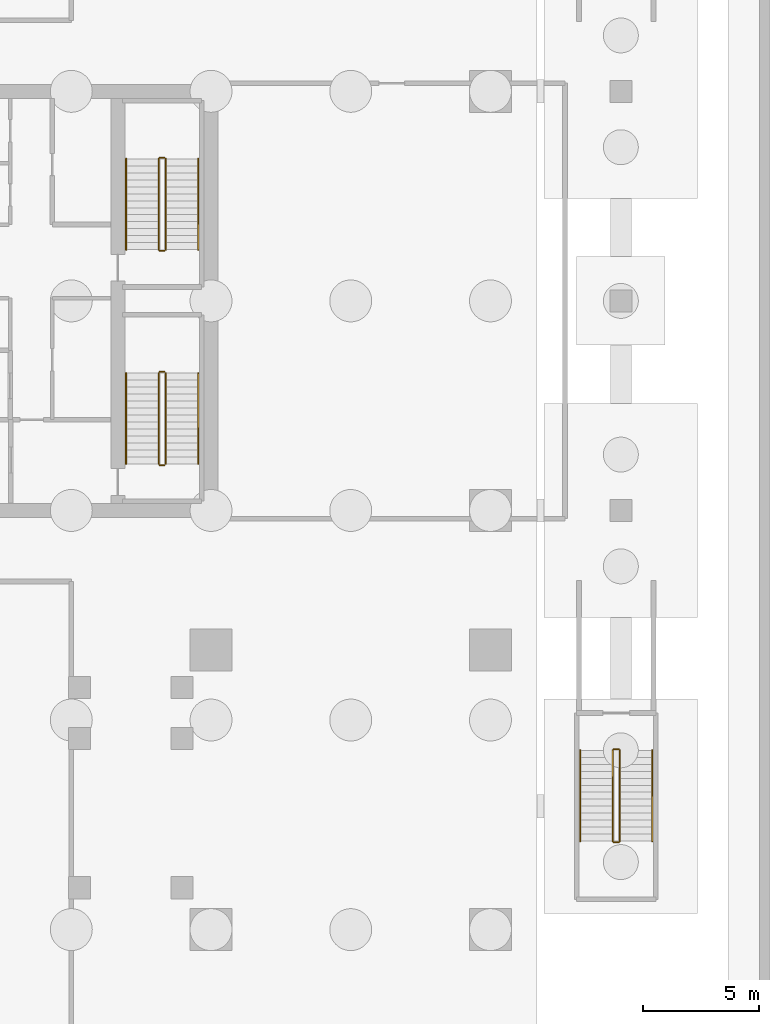
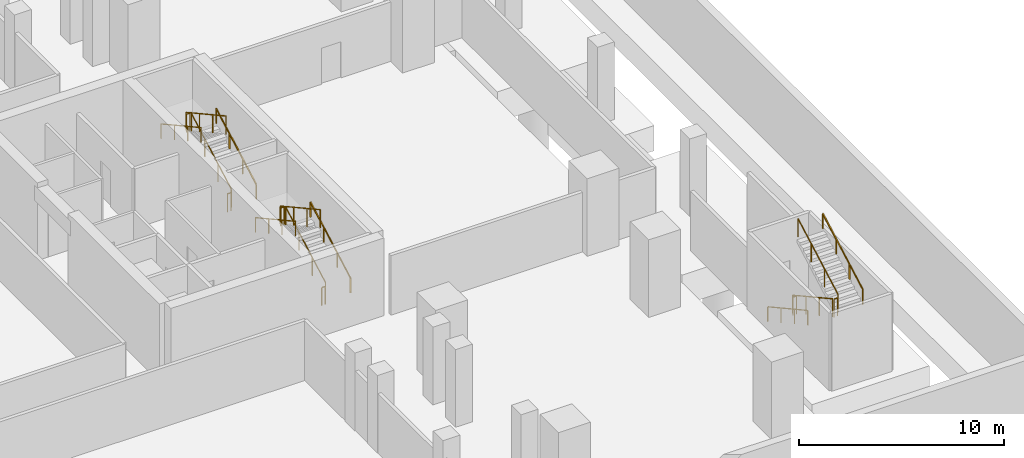
# One storey, part 12 of 14: 18 railings.
"""IFC4 building model written with IfcOpenShell, lengths in metres."""

from ifc_helpers import new_model, si_unit, direction, frame, origin, place, context, subcontext, project, spatial, rectangle, extrude, material, type_object, element, save


model = new_model("IFC4")

# Units and contexts
model_context = context("Model", 3, precision=1e-05, world=origin(), true_north=direction((0.0, 1.0)))
body_context = subcontext(model_context, "Body", "Model", "MODEL_VIEW")
ifc_project = project(units=[si_unit("LENGTHUNIT", "METRE"), si_unit("AREAUNIT", "SQUARE_METRE"), si_unit("VOLUMEUNIT", "CUBIC_METRE"), si_unit("PLANEANGLEUNIT", "RADIAN"), si_unit("MASSUNIT", "GRAM", prefix="KILO")], contexts=[model_context])

# Site, building, storey
site_placement = place(None, origin())
site = spatial("IfcSite", under=ifc_project, at=site_placement, CompositionType="ELEMENT")
building_placement = place(site_placement, origin())
building = spatial("IfcBuilding", under=site, at=building_placement, Name="Tanjung Sevakor Pilgrim Tower", CompositionType="ELEMENT")
storey_placement = place(building_placement, frame((0.0, 0.0, -9.239990234375)))
storey = spatial("IfcBuildingStorey", under=building, at=storey_placement, Name="B02", CompositionType="ELEMENT", Elevation=-9.239990234375)

# Railings
ifc_material_1 = material(Name="Steel S355J2", Category="steel")
railing_type_1 = type_object("IfcRailingType", Name="RL-STAIR-GUARD", PredefinedType="GUARDRAIL", material=ifc_material_1)
railing_1_placement = place(storey_placement, frame((88.050048828125, 26.60009765625, 0.1650390625)))
element("IfcRailing", 1, at=railing_1_placement, inside=storey, type_object=railing_type_1, Name="B02 TS-E1 stair guard 1", PredefinedType="GUARDRAIL", context=body_context, shape_type="SweptSolid", body=[
    extrude(rectangle(XDim=0.0479, YDim=0.0479), frame((0.0, 0.0, 1.076171875), z_axis=(0.0, 0.876208959939, 0.481931383625), x_axis=(-1.0, 0.0, 0.0)), (0.0, 0.0, 1.0), 4.450927734375),
    extrude(rectangle(XDim=0.042, YDim=0.042), origin(), (0.0, 0.0, 1.0), 1.052001953125),
    extrude(rectangle(XDim=0.042, YDim=0.042), frame((0.0, 1.300048828125, 0.715087890625)), (0.0, 0.0, 1.0), 1.052001953125),
    extrude(rectangle(XDim=0.042, YDim=0.042), frame((0.0, 2.599853515625, 1.429931640625)), (0.0, 0.0, 1.0), 1.052001953125),
    extrude(rectangle(XDim=0.042, YDim=0.042), frame((0.0, 3.89990234375, 2.14501953125)), (0.0, 0.0, 1.0), 1.052001953125),
])
railing_2_placement = place(storey_placement, frame((88.0, 30.550048828125, 2.31005859375)))
element("IfcRailing", 2, at=railing_2_placement, inside=storey, type_object=railing_type_1, Name="B02 TS-E1 stair guard 2", PredefinedType="GUARDRAIL", context=body_context, shape_type="SweptSolid", body=[
    extrude(rectangle(XDim=0.0479, YDim=0.0479), frame((0.0, 0.0, 1.076171875), z_axis=(-1.0, 0.0, 0.0), x_axis=(0.0, -1.0, 0.0)), (0.0, 0.0, 1.0), 0.199951171875),
    extrude(rectangle(XDim=0.042, YDim=0.042), origin(), (0.0, 0.0, 1.0), 1.052001953125),
    extrude(rectangle(XDim=0.042, YDim=0.042), frame((-0.199951171875, 0.0, 0.0)), (0.0, 0.0, 1.0), 1.052001953125),
])
railing_3_placement = place(storey_placement, frame((87.75, 30.5, 2.47509765625)))
element("IfcRailing", 3, at=railing_3_placement, inside=storey, type_object=railing_type_1, Name="B02 TS-E1 stair guard 3", PredefinedType="GUARDRAIL", context=body_context, shape_type="SweptSolid", body=[
    extrude(rectangle(XDim=0.0479, YDim=0.0479), frame((0.0, 0.0, 1.076171875), z_axis=(0.0, -0.876232122118, 0.481889269614), x_axis=(1.0, 0.0, 0.0)), (0.0, 0.0, 1.0), 4.45068359375),
    extrude(rectangle(XDim=0.042, YDim=0.042), origin(), (0.0, 0.0, 1.0), 1.052001953125),
    extrude(rectangle(XDim=0.042, YDim=0.042), frame((0.0, -1.300048828125, 0.71484375)), (0.0, 0.0, 1.0), 1.052001953125),
    extrude(rectangle(XDim=0.042, YDim=0.042), frame((0.0, -2.599853515625, 1.429931640625)), (0.0, 0.0, 1.0), 1.052001953125),
    extrude(rectangle(XDim=0.042, YDim=0.042), frame((0.0, -3.89990234375, 2.144775390625)), (0.0, 0.0, 1.0), 1.052001953125),
])
railing_4_placement = place(storey_placement, frame((88.0, 26.550048828125, 0.0)))
element("IfcRailing", 4, at=railing_4_placement, inside=storey, type_object=railing_type_1, Name="B02 TS-E1 stair guard 4", PredefinedType="GUARDRAIL", context=body_context, shape_type="SweptSolid", body=[
    extrude(rectangle(XDim=0.0479, YDim=0.0479), frame((0.0, 0.0, 1.076171875), z_axis=(-1.0, 0.0, 0.0), x_axis=(0.0, -1.0, 0.0)), (0.0, 0.0, 1.0), 0.199951171875),
    extrude(rectangle(XDim=0.042, YDim=0.042), origin(), (0.0, 0.0, 1.0), 1.052001953125),
    extrude(rectangle(XDim=0.042, YDim=0.042), frame((-0.199951171875, 0.0, 0.0)), (0.0, 0.0, 1.0), 1.052001953125),
])
railing_5_placement = place(storey_placement, frame((88.050048828125, 35.800048828125, 0.1650390625)))
element("IfcRailing", 5, at=railing_5_placement, inside=storey, type_object=railing_type_1, Name="B02 TS-E2 stair guard 1", PredefinedType="GUARDRAIL", context=body_context, shape_type="SweptSolid", body=[
    extrude(rectangle(XDim=0.0479, YDim=0.0479), frame((0.0, 0.0, 1.076171875), z_axis=(0.0, 0.876208959939, 0.481931383625), x_axis=(-1.0, 0.0, 0.0)), (0.0, 0.0, 1.0), 4.450927734375),
    extrude(rectangle(XDim=0.042, YDim=0.042), origin(), (0.0, 0.0, 1.0), 1.052001953125),
    extrude(rectangle(XDim=0.042, YDim=0.042), frame((0.0, 1.300048828125, 0.715087890625)), (0.0, 0.0, 1.0), 1.052001953125),
    extrude(rectangle(XDim=0.042, YDim=0.042), frame((0.0, 2.599853515625, 1.429931640625)), (0.0, 0.0, 1.0), 1.052001953125),
    extrude(rectangle(XDim=0.042, YDim=0.042), frame((0.0, 3.89990234375, 2.14501953125)), (0.0, 0.0, 1.0), 1.052001953125),
])
railing_6_placement = place(storey_placement, frame((88.0, 39.75, 2.31005859375)))
element("IfcRailing", 6, at=railing_6_placement, inside=storey, type_object=railing_type_1, Name="B02 TS-E2 stair guard 2", PredefinedType="GUARDRAIL", context=body_context, shape_type="SweptSolid", body=[
    extrude(rectangle(XDim=0.0479, YDim=0.0479), frame((0.0, 0.0, 1.076171875), z_axis=(-1.0, 0.0, 0.0), x_axis=(0.0, -1.0, 0.0)), (0.0, 0.0, 1.0), 0.199951171875),
    extrude(rectangle(XDim=0.042, YDim=0.042), origin(), (0.0, 0.0, 1.0), 1.052001953125),
    extrude(rectangle(XDim=0.042, YDim=0.042), frame((-0.199951171875, 0.0, 0.0)), (0.0, 0.0, 1.0), 1.052001953125),
])
railing_7_placement = place(storey_placement, frame((87.75, 39.699951171875, 2.47509765625)))
element("IfcRailing", 7, at=railing_7_placement, inside=storey, type_object=railing_type_1, Name="B02 TS-E2 stair guard 3", PredefinedType="GUARDRAIL", context=body_context, shape_type="SweptSolid", body=[
    extrude(rectangle(XDim=0.0479, YDim=0.0479), frame((0.0, 0.0, 1.076171875), z_axis=(0.0, -0.876232122118, 0.481889269614), x_axis=(1.0, 0.0, 0.0)), (0.0, 0.0, 1.0), 4.45068359375),
    extrude(rectangle(XDim=0.042, YDim=0.042), origin(), (0.0, 0.0, 1.0), 1.052001953125),
    extrude(rectangle(XDim=0.042, YDim=0.042), frame((0.0, -1.300048828125, 0.71484375)), (0.0, 0.0, 1.0), 1.052001953125),
    extrude(rectangle(XDim=0.042, YDim=0.042), frame((0.0, -2.599853515625, 1.429931640625)), (0.0, 0.0, 1.0), 1.052001953125),
    extrude(rectangle(XDim=0.042, YDim=0.042), frame((0.0, -3.89990234375, 2.144775390625)), (0.0, 0.0, 1.0), 1.052001953125),
])
railing_8_placement = place(storey_placement, frame((88.0, 35.75, 0.0)))
element("IfcRailing", 8, at=railing_8_placement, inside=storey, type_object=railing_type_1, Name="B02 TS-E2 stair guard 4", PredefinedType="GUARDRAIL", context=body_context, shape_type="SweptSolid", body=[
    extrude(rectangle(XDim=0.0479, YDim=0.0479), frame((0.0, 0.0, 1.076171875), z_axis=(-1.0, 0.0, 0.0), x_axis=(0.0, -1.0, 0.0)), (0.0, 0.0, 1.0), 0.199951171875),
    extrude(rectangle(XDim=0.042, YDim=0.042), origin(), (0.0, 0.0, 1.0), 1.052001953125),
    extrude(rectangle(XDim=0.042, YDim=0.042), frame((-0.199951171875, 0.0, 0.0)), (0.0, 0.0, 1.0), 1.052001953125),
])
railing_9_placement = place(storey_placement, frame((107.25, 14.300048828125, 0.1650390625)))
element("IfcRailing", 9, at=railing_9_placement, inside=storey, type_object=railing_type_1, Name="B02 BS-3 stair guard 1", PredefinedType="GUARDRAIL", context=body_context, shape_type="SweptSolid", body=[
    extrude(rectangle(XDim=0.0479, YDim=0.0479), frame((0.0, 0.0, 1.076171875), z_axis=(0.0, -0.876221698874, 0.481908221991), x_axis=(1.0, 0.0, 0.0)), (0.0, 0.0, 1.0), 4.451171875),
    extrude(rectangle(XDim=0.042, YDim=0.042), origin(), (0.0, 0.0, 1.0), 1.052001953125),
    extrude(rectangle(XDim=0.042, YDim=0.042), frame((0.0, -1.300048828125, 0.715087890625)), (0.0, 0.0, 1.0), 1.052001953125),
    extrude(rectangle(XDim=0.042, YDim=0.042), frame((0.0, -2.60009765625, 1.429931640625)), (0.0, 0.0, 1.0), 1.052001953125),
    extrude(rectangle(XDim=0.042, YDim=0.042), frame((0.0, -3.900146484375, 2.14501953125)), (0.0, 0.0, 1.0), 1.052001953125),
])
railing_10_placement = place(storey_placement, frame((107.300048828125, 10.35009765625, 2.31005859375)))
element("IfcRailing", 10, at=railing_10_placement, inside=storey, type_object=railing_type_1, Name="B02 BS-3 stair guard 2", PredefinedType="GUARDRAIL", context=body_context, shape_type="SweptSolid", body=[
    extrude(rectangle(XDim=0.0479, YDim=0.0479), frame((0.0, 0.0, 1.076171875), z_axis=(1.0, 0.0, 0.0), x_axis=(0.0, 1.0, 0.0)), (0.0, 0.0, 1.0), 0.199951171875),
    extrude(rectangle(XDim=0.042, YDim=0.042), origin(), (0.0, 0.0, 1.0), 1.052001953125),
    extrude(rectangle(XDim=0.042, YDim=0.042), frame((0.199951171875, 0.0, 0.0)), (0.0, 0.0, 1.0), 1.052001953125),
])
railing_11_placement = place(storey_placement, frame((107.550048828125, 10.39990234375, 2.47509765625)))
element("IfcRailing", 11, at=railing_11_placement, inside=storey, type_object=railing_type_1, Name="B02 BS-3 stair guard 3", PredefinedType="GUARDRAIL", context=body_context, shape_type="SweptSolid", body=[
    extrude(rectangle(XDim=0.0479, YDim=0.0479), frame((0.0, 0.0, 1.076171875), z_axis=(0.0, 0.876244859163, 0.481866108779), x_axis=(-1.0, 0.0, 0.0)), (0.0, 0.0, 1.0), 4.450927734375),
    extrude(rectangle(XDim=0.042, YDim=0.042), origin(), (0.0, 0.0, 1.0), 1.052001953125),
    extrude(rectangle(XDim=0.042, YDim=0.042), frame((0.0, 1.300048828125, 0.71484375)), (0.0, 0.0, 1.0), 1.052001953125),
    extrude(rectangle(XDim=0.042, YDim=0.042), frame((0.0, 2.60009765625, 1.429931640625)), (0.0, 0.0, 1.0), 1.052001953125),
    extrude(rectangle(XDim=0.042, YDim=0.042), frame((0.0, 3.900146484375, 2.144775390625)), (0.0, 0.0, 1.0), 1.052001953125),
])
railing_12_placement = place(storey_placement, frame((107.300048828125, 14.35009765625, 0.0)))
element("IfcRailing", 12, at=railing_12_placement, inside=storey, type_object=railing_type_1, Name="B02 BS-3 stair guard 4", PredefinedType="GUARDRAIL", context=body_context, shape_type="SweptSolid", body=[
    extrude(rectangle(XDim=0.0479, YDim=0.0479), frame((0.0, 0.0, 1.076171875), z_axis=(1.0, 0.0, 0.0), x_axis=(0.0, 1.0, 0.0)), (0.0, 0.0, 1.0), 0.199951171875),
    extrude(rectangle(XDim=0.042, YDim=0.042), origin(), (0.0, 0.0, 1.0), 1.052001953125),
    extrude(rectangle(XDim=0.042, YDim=0.042), frame((0.199951171875, 0.0, 0.0)), (0.0, 0.0, 1.0), 1.052001953125),
])
ifc_material_2 = material(Name="Steel S355J2", Category="steel")
railing_type_2 = type_object("IfcRailingType", Name="RL-STAIR-HAND", PredefinedType="HANDRAIL", material=ifc_material_2)
railing_13_placement = place(storey_placement, frame((89.449951171875, 26.60009765625, 0.1650390625)))
element("IfcRailing", 13, at=railing_13_placement, inside=storey, type_object=railing_type_2, Name="B02 TS-E1 stair handrail 1", PredefinedType="HANDRAIL", context=body_context, shape_type="SweptSolid", body=[
    extrude(rectangle(XDim=0.0479, YDim=0.0479), frame((0.0, 0.0, 0.8759765625), z_axis=(0.0, 0.876208959939, 0.481931383625), x_axis=(-1.0, 0.0, 0.0)), (0.0, 0.0, 1.0), 4.450927734375),
    extrude(rectangle(XDim=0.042, YDim=0.042), origin(), (0.0, 0.0, 1.0), 0.851806640625),
    extrude(rectangle(XDim=0.042, YDim=0.042), frame((0.0, 1.300048828125, 0.715087890625)), (0.0, 0.0, 1.0), 0.851806640625),
    extrude(rectangle(XDim=0.042, YDim=0.042), frame((0.0, 2.599853515625, 1.429931640625)), (0.0, 0.0, 1.0), 0.851806640625),
    extrude(rectangle(XDim=0.042, YDim=0.042), frame((0.0, 3.89990234375, 2.14501953125)), (0.0, 0.0, 1.0), 0.851806640625),
])
railing_14_placement = place(storey_placement, frame((86.35009765625, 30.5, 2.47509765625)))
element("IfcRailing", 14, at=railing_14_placement, inside=storey, type_object=railing_type_2, Name="B02 TS-E1 stair handrail 2", PredefinedType="HANDRAIL", context=body_context, shape_type="SweptSolid", body=[
    extrude(rectangle(XDim=0.0479, YDim=0.0479), frame((0.0, 0.0, 0.8759765625), z_axis=(0.0, -0.876232122118, 0.481889269614), x_axis=(1.0, 0.0, 0.0)), (0.0, 0.0, 1.0), 4.45068359375),
    extrude(rectangle(XDim=0.042, YDim=0.042), origin(), (0.0, 0.0, 1.0), 0.851806640625),
    extrude(rectangle(XDim=0.042, YDim=0.042), frame((0.0, -1.300048828125, 0.71484375)), (0.0, 0.0, 1.0), 0.851806640625),
    extrude(rectangle(XDim=0.042, YDim=0.042), frame((0.0, -2.599853515625, 1.429931640625)), (0.0, 0.0, 1.0), 0.851806640625),
    extrude(rectangle(XDim=0.042, YDim=0.042), frame((0.0, -3.89990234375, 2.144775390625)), (0.0, 0.0, 1.0), 0.851806640625),
])
railing_15_placement = place(storey_placement, frame((89.449951171875, 35.800048828125, 0.1650390625)))
element("IfcRailing", 15, at=railing_15_placement, inside=storey, type_object=railing_type_2, Name="B02 TS-E2 stair handrail 1", PredefinedType="HANDRAIL", context=body_context, shape_type="SweptSolid", body=[
    extrude(rectangle(XDim=0.0479, YDim=0.0479), frame((0.0, 0.0, 0.8759765625), z_axis=(0.0, 0.876208959939, 0.481931383625), x_axis=(-1.0, 0.0, 0.0)), (0.0, 0.0, 1.0), 4.450927734375),
    extrude(rectangle(XDim=0.042, YDim=0.042), origin(), (0.0, 0.0, 1.0), 0.851806640625),
    extrude(rectangle(XDim=0.042, YDim=0.042), frame((0.0, 1.300048828125, 0.715087890625)), (0.0, 0.0, 1.0), 0.851806640625),
    extrude(rectangle(XDim=0.042, YDim=0.042), frame((0.0, 2.599853515625, 1.429931640625)), (0.0, 0.0, 1.0), 0.851806640625),
    extrude(rectangle(XDim=0.042, YDim=0.042), frame((0.0, 3.89990234375, 2.14501953125)), (0.0, 0.0, 1.0), 0.851806640625),
])
railing_16_placement = place(storey_placement, frame((86.35009765625, 39.699951171875, 2.47509765625)))
element("IfcRailing", 16, at=railing_16_placement, inside=storey, type_object=railing_type_2, Name="B02 TS-E2 stair handrail 2", PredefinedType="HANDRAIL", context=body_context, shape_type="SweptSolid", body=[
    extrude(rectangle(XDim=0.0479, YDim=0.0479), frame((0.0, 0.0, 0.8759765625), z_axis=(0.0, -0.876232122118, 0.481889269614), x_axis=(1.0, 0.0, 0.0)), (0.0, 0.0, 1.0), 4.45068359375),
    extrude(rectangle(XDim=0.042, YDim=0.042), origin(), (0.0, 0.0, 1.0), 0.851806640625),
    extrude(rectangle(XDim=0.042, YDim=0.042), frame((0.0, -1.300048828125, 0.71484375)), (0.0, 0.0, 1.0), 0.851806640625),
    extrude(rectangle(XDim=0.042, YDim=0.042), frame((0.0, -2.599853515625, 1.429931640625)), (0.0, 0.0, 1.0), 0.851806640625),
    extrude(rectangle(XDim=0.042, YDim=0.042), frame((0.0, -3.89990234375, 2.144775390625)), (0.0, 0.0, 1.0), 0.851806640625),
])
railing_17_placement = place(storey_placement, frame((105.85009765625, 14.300048828125, 0.1650390625)))
element("IfcRailing", 17, at=railing_17_placement, inside=storey, type_object=railing_type_2, Name="B02 BS-3 stair handrail 1", PredefinedType="HANDRAIL", context=body_context, shape_type="SweptSolid", body=[
    extrude(rectangle(XDim=0.0479, YDim=0.0479), frame((0.0, 0.0, 0.8759765625), z_axis=(0.0, -0.876221698874, 0.481908221991), x_axis=(1.0, 0.0, 0.0)), (0.0, 0.0, 1.0), 4.451171875),
    extrude(rectangle(XDim=0.042, YDim=0.042), origin(), (0.0, 0.0, 1.0), 0.851806640625),
    extrude(rectangle(XDim=0.042, YDim=0.042), frame((0.0, -1.300048828125, 0.715087890625)), (0.0, 0.0, 1.0), 0.851806640625),
    extrude(rectangle(XDim=0.042, YDim=0.042), frame((0.0, -2.60009765625, 1.429931640625)), (0.0, 0.0, 1.0), 0.851806640625),
    extrude(rectangle(XDim=0.042, YDim=0.042), frame((0.0, -3.900146484375, 2.14501953125)), (0.0, 0.0, 1.0), 0.851806640625),
])
railing_18_placement = place(storey_placement, frame((108.949951171875, 10.39990234375, 2.47509765625)))
element("IfcRailing", 18, at=railing_18_placement, inside=storey, type_object=railing_type_2, Name="B02 BS-3 stair handrail 2", PredefinedType="HANDRAIL", context=body_context, shape_type="SweptSolid", body=[
    extrude(rectangle(XDim=0.0479, YDim=0.0479), frame((0.0, 0.0, 0.8759765625), z_axis=(0.0, 0.876244859163, 0.481866108779), x_axis=(-1.0, 0.0, 0.0)), (0.0, 0.0, 1.0), 4.450927734375),
    extrude(rectangle(XDim=0.042, YDim=0.042), origin(), (0.0, 0.0, 1.0), 0.851806640625),
    extrude(rectangle(XDim=0.042, YDim=0.042), frame((0.0, 1.300048828125, 0.71484375)), (0.0, 0.0, 1.0), 0.851806640625),
    extrude(rectangle(XDim=0.042, YDim=0.042), frame((0.0, 2.60009765625, 1.429931640625)), (0.0, 0.0, 1.0), 0.851806640625),
    extrude(rectangle(XDim=0.042, YDim=0.042), frame((0.0, 3.900146484375, 2.144775390625)), (0.0, 0.0, 1.0), 0.851806640625),
])

save(model, "model.ifc")
